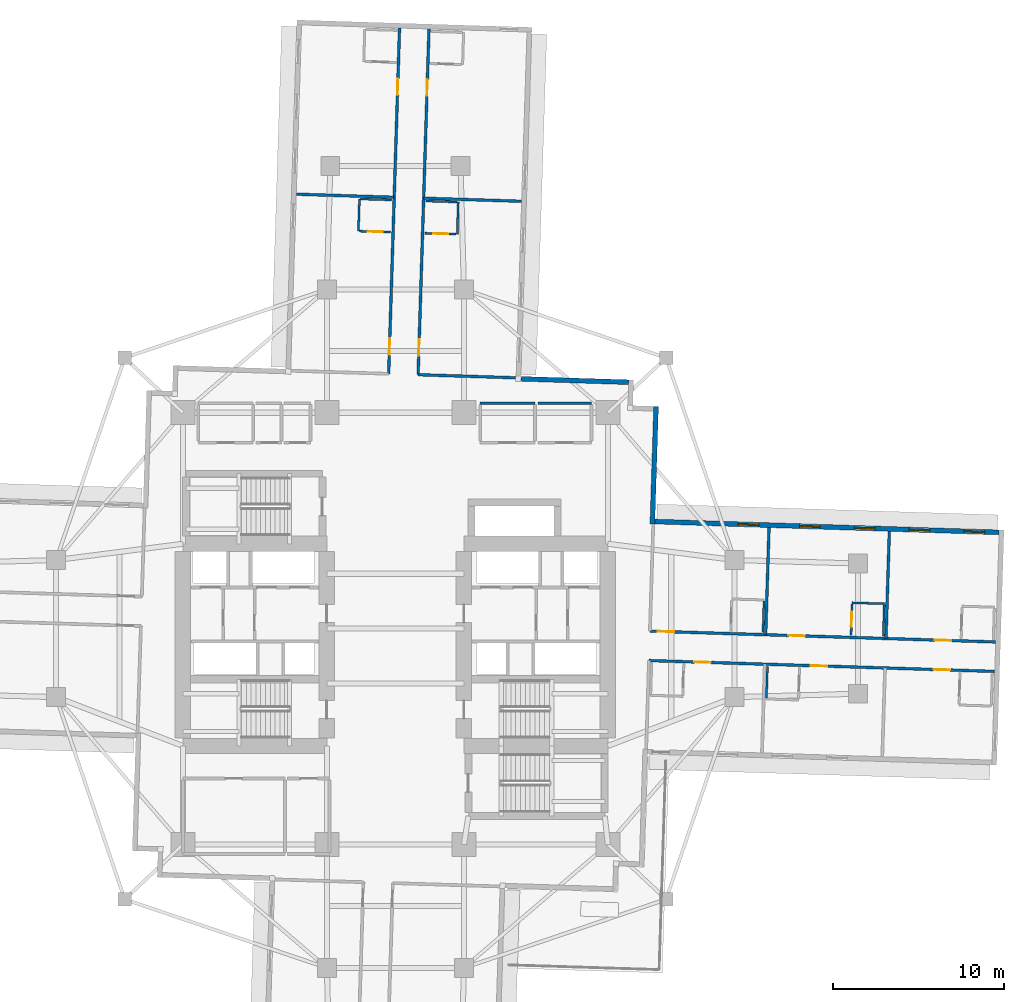
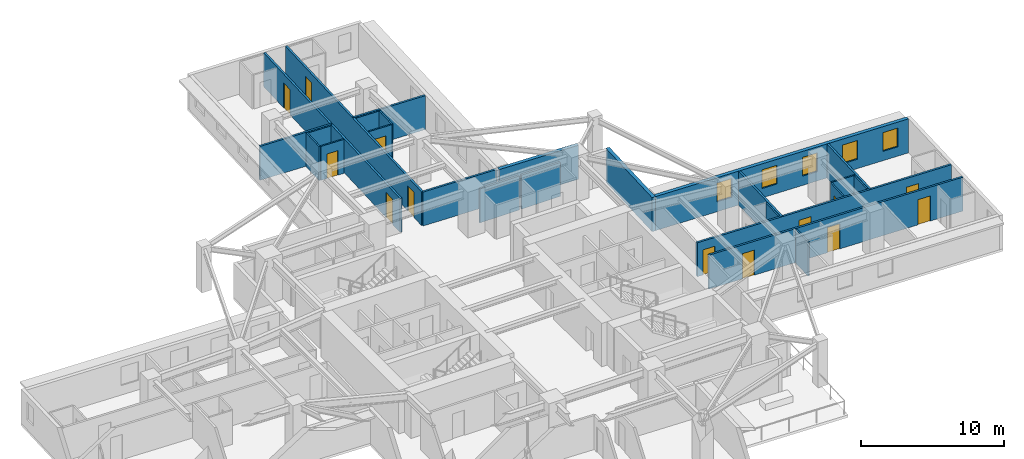
# One storey, part 7 of 13: 25 walls, 13 doors, 5 windows, 18 openings.
"""IFC4 building model written with IfcOpenShell, lengths in metres."""

from ifc_helpers import new_model, si_unit, direction, frame, frame_2d, origin, place, context, subcontext, project, spatial, rectangle, extrude, material, layer, layer_set, type_object, element, fill, save


model = new_model("IFC4")

# Units and contexts
model_context = context("Model", 3, precision=1e-05, world=origin(), true_north=direction((0.0, 1.0)))
body_context = subcontext(model_context, "Body", "Model", "MODEL_VIEW")
ifc_project = project(units=[si_unit("LENGTHUNIT", "METRE"), si_unit("AREAUNIT", "SQUARE_METRE"), si_unit("VOLUMEUNIT", "CUBIC_METRE"), si_unit("PLANEANGLEUNIT", "RADIAN"), si_unit("MASSUNIT", "GRAM", prefix="KILO")], contexts=[model_context])

# Site, building, storey
site_placement = place(None, origin())
site = spatial("IfcSite", under=ifc_project, at=site_placement, CompositionType="ELEMENT")
building_placement = place(site_placement, origin())
building = spatial("IfcBuilding", under=site, at=building_placement, Name="Qingluan Cross Belvedere", CompositionType="ELEMENT")
storey_placement = place(building_placement, frame((0.0, 0.0, 71.699951171875)))
storey = spatial("IfcBuildingStorey", under=building, at=storey_placement, Name="L18", CompositionType="ELEMENT", Elevation=71.699951171875)

# Walls
ifc_material_1 = material(Name="Gypsum plasterboard on steel stud acoustic partition", Category="steel")
ifc_layer_1 = layer(ifc_material_1, 0.159912109375, Name="CorridorPartition_160")
ifc_layer_set_1 = layer_set([ifc_layer_1], Name="Gypsum plasterboard on steel stud acoustic partition")
wall_type_1 = type_object("IfcWallType", Name="CorridorPartition_160", PredefinedType="PARTITIONING", material=ifc_layer_set_1)
wall_1_placement = place(storey_placement, frame((4.949951171875, 13.14990234375, 0.0), z_axis=(0.0, 0.0, 1.0), x_axis=(1.0, 0.0, 0.0)))
element("IfcWall", 1, at=wall_1_placement, inside=storey, type_object=wall_type_1, Name="Partition L18:q_ne1:N", PredefinedType="PARTITIONING", context=body_context, shape_type="SweptSolid", body=[
    extrude(rectangle(XDim=3.199951171875, YDim=0.159912109375, at=frame_2d((1.60009765625, 0.0))), origin(), (0.0, 0.0, 1.0), 2.900146484375),
])
wall_2_placement = place(storey_placement, frame((8.31005859375, 13.14990234375, 0.0), z_axis=(0.0, 0.0, 1.0), x_axis=(1.0, 0.0, 0.0)))
element("IfcWall", 2, at=wall_2_placement, inside=storey, type_object=wall_type_1, Name="Partition L18:q_ne2:N", PredefinedType="PARTITIONING", context=body_context, shape_type="SweptSolid", body=[
    extrude(rectangle(XDim=3.139892578125, YDim=0.159912109375, at=frame_2d((1.56982421875, 0.0))), origin(), (0.0, 0.0, 1.0), 2.900146484375),
])

# Wall, openings, doors
wall_3_placement = place(storey_placement, frame((14.852783203125, -0.146484375, 0.0), z_axis=(0.0, 0.0, 1.0), x_axis=(0.999506406629, -0.031415650687, 0.0)))
wall_3 = element("IfcWall", 3, at=wall_3_placement, inside=storey, type_object=wall_type_1, Name="Partition L18:E:c0", PredefinedType="PARTITIONING", context=body_context, shape_type="SweptSolid", body=[
    extrude(rectangle(XDim=20.18212890625, YDim=0.159912109375, at=frame_2d((10.091064453125, 0.0))), origin(), (0.0, 0.0, 1.0), 2.900146484375),
])
opening_1_placement = place(wall_3_placement, frame((0.449951171875, 0.0, 0.0)))
opening_1 = element("IfcOpeningElement", 4, at=opening_1_placement, cuts=wall_3, Name="Opening GD-10", PredefinedType="OPENING", context=body_context, shape_type="SweptSolid", body=[
    extrude(rectangle(XDim=0.9599609375, YDim=2.14990234375, at=frame_2d((0.47998046875, 1.074951171875))), frame((0.0, 0.08984375, 0.0), z_axis=(0.0, -1.0, 0.0), x_axis=(1.0, 0.0, 0.0)), (0.0, 0.0, 1.0), 0.179931640625),
])
opening_2_placement = place(wall_3_placement, frame((8.0869140625, 0.0, 0.0)))
opening_2 = element("IfcOpeningElement", 5, at=opening_2_placement, cuts=wall_3, Name="Opening GD-10", PredefinedType="OPENING", context=body_context, shape_type="SweptSolid", body=[
    extrude(rectangle(XDim=0.9599609375, YDim=2.14990234375, at=frame_2d((0.47998046875, 1.074951171875))), frame((0.0, 0.08984375, 0.0), z_axis=(0.0, -1.0, 0.0), x_axis=(1.0, 0.0, 0.0)), (0.0, 0.0, 1.0), 0.179931640625),
])
opening_3_placement = place(wall_3_placement, frame((16.626953125, 0.0, 0.0)))
opening_3 = element("IfcOpeningElement", 6, at=opening_3_placement, cuts=wall_3, Name="Opening GD-10", PredefinedType="OPENING", context=body_context, shape_type="SweptSolid", body=[
    extrude(rectangle(XDim=0.9599609375, YDim=2.14990234375, at=frame_2d((0.47998046875, 1.074951171875))), frame((0.0, 0.08984375, 0.0), z_axis=(0.0, -1.0, 0.0), x_axis=(1.0, 0.0, 0.0)), (0.0, 0.0, 1.0), 0.179931640625),
])
ifc_material_2 = material(Name="Timber oak fire-rated acoustic guestroom door", Category="wood")
door_type_1 = type_object("IfcDoorType", Name="GuestEntryDoor_FD60", OperationType="NOTDEFINED", PredefinedType="DOOR", material=ifc_material_2)
door_1_placement = place(opening_1_placement, origin())
door_1 = element("IfcDoor", 7, at=door_1_placement, inside=storey, type_object=door_type_1, Name="Guest entry fire door 1801", OperationType="SINGLE_SWING_LEFT", OverallHeight=2.14990234375, OverallWidth=0.9599609375, PredefinedType="DOOR", context=body_context, shape_type="SweptSolid", body=[
    extrude(rectangle(XDim=0.9599609375, YDim=2.14990234375, at=frame_2d((0.47998046875, 1.074951171875))), frame((0.0, 0.02490234375, 0.0), z_axis=(0.0, -1.0, 0.0), x_axis=(1.0, 0.0, 0.0)), (0.0, 0.0, 1.0), 0.050048828125),
])
fill(opening_1, door_1)
door_2_placement = place(opening_2_placement, origin())
door_2 = element("IfcDoor", 8, at=door_2_placement, inside=storey, type_object=door_type_1, Name="Guest entry fire door 1802", OperationType="SINGLE_SWING_LEFT", OverallHeight=2.14990234375, OverallWidth=0.9599609375, PredefinedType="DOOR", context=body_context, shape_type="SweptSolid", body=[
    extrude(rectangle(XDim=0.9599609375, YDim=2.14990234375, at=frame_2d((0.47998046875, 1.074951171875))), frame((0.0, 0.02490234375, 0.0), z_axis=(0.0, -1.0, 0.0), x_axis=(1.0, 0.0, 0.0)), (0.0, 0.0, 1.0), 0.050048828125),
])
fill(opening_2, door_2)
door_3_placement = place(opening_3_placement, origin())
door_3 = element("IfcDoor", 9, at=door_3_placement, inside=storey, type_object=door_type_1, Name="Guest entry fire door 1803", OperationType="SINGLE_SWING_LEFT", OverallHeight=2.14990234375, OverallWidth=0.9599609375, PredefinedType="DOOR", context=body_context, shape_type="SweptSolid", body=[
    extrude(rectangle(XDim=0.9599609375, YDim=2.14990234375, at=frame_2d((0.47998046875, 1.074951171875))), frame((0.0, 0.02490234375, 0.0), z_axis=(0.0, -1.0, 0.0), x_axis=(1.0, 0.0, 0.0)), (0.0, 0.0, 1.0), 0.050048828125),
])
fill(opening_3, door_3)

# Walls
wall_4_placement = place(storey_placement, frame((21.609375, -0.35888671875, 0.0), z_axis=(0.0, 0.0, 1.0), x_axis=(0.031435911097, 0.999505769615, 0.0)))
element("IfcWall", 10, at=wall_4_placement, inside=storey, type_object=wall_type_1, Name="Partition L18:E:d0_0", PredefinedType="PARTITIONING", context=body_context, shape_type="SweptSolid", body=[
    extrude(rectangle(XDim=6.251953125, YDim=0.159912109375, at=frame_2d((3.1259765625, 0.0))), origin(), (0.0, 0.0, 1.0), 2.900146484375),
])
wall_5_placement = place(storey_placement, frame((28.6298828125, -0.57958984375, 0.0), z_axis=(0.0, 0.0, 1.0), x_axis=(0.031434684154, 0.999505808203, 0.0)))
element("IfcWall", 11, at=wall_5_placement, inside=storey, type_object=wall_type_1, Name="Partition L18:E:d0_1", PredefinedType="PARTITIONING", context=body_context, shape_type="SweptSolid", body=[
    extrude(rectangle(XDim=6.252197265625, YDim=0.159912109375, at=frame_2d((3.1259765625, 0.0))), origin(), (0.0, 0.0, 1.0), 2.900146484375),
])

# Wall, openings, doors
wall_6_placement = place(storey_placement, frame((14.798583984375, -1.86572265625, 0.0), z_axis=(0.0, 0.0, 1.0), x_axis=(0.999506406629, -0.031415650687, 0.0)))
wall_6 = element("IfcWall", 12, at=wall_6_placement, inside=storey, type_object=wall_type_1, Name="Partition L18:E:c1", PredefinedType="PARTITIONING", context=body_context, shape_type="SweptSolid", body=[
    extrude(rectangle(XDim=20.18212890625, YDim=0.159912109375, at=frame_2d((10.091064453125, 0.0))), origin(), (0.0, 0.0, 1.0), 2.900146484375),
])
opening_4_placement = place(wall_6_placement, frame((2.656005859375, 0.0, 0.0)))
opening_4 = element("IfcOpeningElement", 13, at=opening_4_placement, cuts=wall_6, Name="Opening GD-10", PredefinedType="OPENING", context=body_context, shape_type="SweptSolid", body=[
    extrude(rectangle(XDim=0.9599609375, YDim=2.14990234375, at=frame_2d((0.47998046875, 1.074951171875))), frame((0.0, 0.08984375, 0.0), z_axis=(0.0, -1.0, 0.0), x_axis=(1.0, 0.0, 0.0)), (0.0, 0.0, 1.0), 0.179931640625),
])
opening_5_placement = place(wall_6_placement, frame((9.44189453125, 0.0, 0.0)))
opening_5 = element("IfcOpeningElement", 14, at=opening_5_placement, cuts=wall_6, Name="Opening GD-10", PredefinedType="OPENING", context=body_context, shape_type="SweptSolid", body=[
    extrude(rectangle(XDim=0.9599609375, YDim=2.14990234375, at=frame_2d((0.47998046875, 1.074951171875))), frame((0.0, 0.08984375, 0.0), z_axis=(0.0, -1.0, 0.0), x_axis=(1.0, 0.0, 0.0)), (0.0, 0.0, 1.0), 0.179931640625),
])
opening_6_placement = place(wall_6_placement, frame((16.626953125, 0.0, 0.0)))
opening_6 = element("IfcOpeningElement", 15, at=opening_6_placement, cuts=wall_6, Name="Opening GD-10", PredefinedType="OPENING", context=body_context, shape_type="SweptSolid", body=[
    extrude(rectangle(XDim=0.9599609375, YDim=2.14990234375, at=frame_2d((0.47998046875, 1.074951171875))), frame((0.0, 0.08984375, 0.0), z_axis=(0.0, -1.0, 0.0), x_axis=(1.0, 0.0, 0.0)), (0.0, 0.0, 1.0), 0.179931640625),
])
door_4_placement = place(opening_4_placement, origin())
door_4 = element("IfcDoor", 16, at=door_4_placement, inside=storey, type_object=door_type_1, Name="Guest entry fire door 1804", OperationType="SINGLE_SWING_LEFT", OverallHeight=2.14990234375, OverallWidth=0.9599609375, PredefinedType="DOOR", context=body_context, shape_type="SweptSolid", body=[
    extrude(rectangle(XDim=0.9599609375, YDim=2.14990234375, at=frame_2d((0.47998046875, 1.074951171875))), frame((0.0, 0.02490234375, 0.0), z_axis=(0.0, -1.0, 0.0), x_axis=(1.0, 0.0, 0.0)), (0.0, 0.0, 1.0), 0.050048828125),
])
fill(opening_4, door_4)
door_5_placement = place(opening_5_placement, origin())
door_5 = element("IfcDoor", 17, at=door_5_placement, inside=storey, type_object=door_type_1, Name="Guest entry fire door 1805", OperationType="SINGLE_SWING_LEFT", OverallHeight=2.14990234375, OverallWidth=0.9599609375, PredefinedType="DOOR", context=body_context, shape_type="SweptSolid", body=[
    extrude(rectangle(XDim=0.9599609375, YDim=2.14990234375, at=frame_2d((0.47998046875, 1.074951171875))), frame((0.0, 0.02490234375, 0.0), z_axis=(0.0, -1.0, 0.0), x_axis=(1.0, 0.0, 0.0)), (0.0, 0.0, 1.0), 0.050048828125),
])
fill(opening_5, door_5)
door_6_placement = place(opening_6_placement, origin())
door_6 = element("IfcDoor", 18, at=door_6_placement, inside=storey, type_object=door_type_1, Name="Guest entry fire door 1806", OperationType="SINGLE_SWING_LEFT", OverallHeight=2.14990234375, OverallWidth=0.9599609375, PredefinedType="DOOR", context=body_context, shape_type="SweptSolid", body=[
    extrude(rectangle(XDim=0.9599609375, YDim=2.14990234375, at=frame_2d((0.47998046875, 1.074951171875))), frame((0.0, 0.02490234375, 0.0), z_axis=(0.0, -1.0, 0.0), x_axis=(1.0, 0.0, 0.0)), (0.0, 0.0, 1.0), 0.050048828125),
])
fill(opening_6, door_6)

wall_7_placement = place(storey_placement, frame((1.325927734375, 14.815673828125, 0.0), z_axis=(0.0, 0.0, 1.0), x_axis=(0.031415650687, 0.999506406629, 0.0)))
wall_7 = element("IfcWall", 19, at=wall_7_placement, inside=storey, type_object=wall_type_1, Name="Partition L18:N:c0", PredefinedType="PARTITIONING", context=body_context, shape_type="SweptSolid", body=[
    extrude(rectangle(XDim=20.18212890625, YDim=0.159912109375, at=frame_2d((10.091064453125, 0.0))), origin(), (0.0, 0.0, 1.0), 2.900146484375),
])
opening_7_placement = place(wall_7_placement, frame((1.10595703125, 0.0, 0.0)))
opening_7 = element("IfcOpeningElement", 20, at=opening_7_placement, cuts=wall_7, Name="Opening GD-10", PredefinedType="OPENING", context=body_context, shape_type="SweptSolid", body=[
    extrude(rectangle(XDim=0.9599609375, YDim=2.14990234375, at=frame_2d((0.47998046875, 1.074951171875))), frame((0.0, 0.08984375, 0.0), z_axis=(0.0, -1.0, 0.0), x_axis=(1.0, 0.0, 0.0)), (0.0, 0.0, 1.0), 0.179931640625),
])
opening_8_placement = place(wall_7_placement, frame((16.280029296875, 0.0, 0.0)))
opening_8 = element("IfcOpeningElement", 21, at=opening_8_placement, cuts=wall_7, Name="Opening GD-10", PredefinedType="OPENING", context=body_context, shape_type="SweptSolid", body=[
    extrude(rectangle(XDim=0.9599609375, YDim=2.14990234375, at=frame_2d((0.47998046875, 1.074951171875))), frame((0.0, 0.08984375, 0.0), z_axis=(0.0, -1.0, 0.0), x_axis=(1.0, 0.0, 0.0)), (0.0, 0.0, 1.0), 0.179931640625),
])
door_7_placement = place(opening_7_placement, origin())
door_7 = element("IfcDoor", 22, at=door_7_placement, inside=storey, type_object=door_type_1, Name="Guest entry fire door 1811", OperationType="SINGLE_SWING_LEFT", OverallHeight=2.14990234375, OverallWidth=0.9599609375, PredefinedType="DOOR", context=body_context, shape_type="SweptSolid", body=[
    extrude(rectangle(XDim=0.9599609375, YDim=2.14990234375, at=frame_2d((0.47998046875, 1.074951171875))), frame((0.0, 0.02490234375, 0.0), z_axis=(0.0, -1.0, 0.0), x_axis=(1.0, 0.0, 0.0)), (0.0, 0.0, 1.0), 0.050048828125),
])
fill(opening_7, door_7)
door_8_placement = place(opening_8_placement, origin())
door_8 = element("IfcDoor", 23, at=door_8_placement, inside=storey, type_object=door_type_1, Name="Guest entry fire door 1812", OperationType="SINGLE_SWING_LEFT", OverallHeight=2.14990234375, OverallWidth=0.9599609375, PredefinedType="DOOR", context=body_context, shape_type="SweptSolid", body=[
    extrude(rectangle(XDim=0.9599609375, YDim=2.14990234375, at=frame_2d((0.47998046875, 1.074951171875))), frame((0.0, 0.02490234375, 0.0), z_axis=(0.0, -1.0, 0.0), x_axis=(1.0, 0.0, 0.0)), (0.0, 0.0, 1.0), 0.050048828125),
])
fill(opening_8, door_8)

# Walls
wall_8_placement = place(storey_placement, frame((1.325927734375, 14.815673828125, 0.0), z_axis=(0.0, 0.0, 1.0), x_axis=(0.999506491758, -0.031412942136, 0.0)))
element("IfcWall", 24, at=wall_8_placement, inside=storey, type_object=wall_type_1, Name="Partition L18:N:s0", PredefinedType="PARTITIONING", context=body_context, shape_type="SweptSolid", body=[
    extrude(rectangle(XDim=5.860107421875, YDim=0.159912109375, at=frame_2d((2.93017578125, 0.0))), origin(), (0.0, 0.0, 1.0), 2.900146484375),
])
wall_9_placement = place(storey_placement, frame((1.64990234375, 25.11767578125, 0.0), z_axis=(0.0, 0.0, 1.0), x_axis=(0.999505045245, -0.031458934028, 0.0)))
element("IfcWall", 25, at=wall_9_placement, inside=storey, type_object=wall_type_1, Name="Partition L18:N:d0_0", PredefinedType="PARTITIONING", context=body_context, shape_type="SweptSolid", body=[
    extrude(rectangle(XDim=5.7119140625, YDim=0.159912109375, at=frame_2d((2.85595703125, 0.0))), origin(), (0.0, 0.0, 1.0), 2.900146484375),
])

# Wall, openings, doors
wall_10_placement = place(storey_placement, frame((-0.39306640625, 14.86962890625, 0.0), z_axis=(0.0, 0.0, 1.0), x_axis=(0.031403565719, 0.9995067864, 0.0)))
wall_10 = element("IfcWall", 26, at=wall_10_placement, inside=storey, type_object=wall_type_1, Name="Partition L18:N:c1", PredefinedType="PARTITIONING", context=body_context, shape_type="SweptSolid", body=[
    extrude(rectangle(XDim=20.18212890625, YDim=0.159912109375, at=frame_2d((10.091064453125, 0.0))), origin(), (0.0, 0.0, 1.0), 2.900146484375),
])
opening_9_placement = place(wall_10_placement, frame((1.10595703125, 0.0, 0.0)))
opening_9 = element("IfcOpeningElement", 27, at=opening_9_placement, cuts=wall_10, Name="Opening GD-10", PredefinedType="OPENING", context=body_context, shape_type="SweptSolid", body=[
    extrude(rectangle(XDim=0.9599609375, YDim=2.14990234375, at=frame_2d((0.47998046875, 1.074951171875))), frame((0.0, 0.08984375, 0.0), z_axis=(0.0, -1.0, 0.0), x_axis=(1.0, 0.0, 0.0)), (0.0, 0.0, 1.0), 0.179931640625),
])
opening_10_placement = place(wall_10_placement, frame((16.280029296875, 0.0, 0.0)))
opening_10 = element("IfcOpeningElement", 28, at=opening_10_placement, cuts=wall_10, Name="Opening GD-10", PredefinedType="OPENING", context=body_context, shape_type="SweptSolid", body=[
    extrude(rectangle(XDim=0.9599609375, YDim=2.14990234375, at=frame_2d((0.47998046875, 1.074951171875))), frame((0.0, 0.08984375, 0.0), z_axis=(0.0, -1.0, 0.0), x_axis=(1.0, 0.0, 0.0)), (0.0, 0.0, 1.0), 0.179931640625),
])
door_9_placement = place(opening_9_placement, origin())
door_9 = element("IfcDoor", 29, at=door_9_placement, inside=storey, type_object=door_type_1, Name="Guest entry fire door 1813", OperationType="SINGLE_SWING_LEFT", OverallHeight=2.14990234375, OverallWidth=0.9599609375, PredefinedType="DOOR", context=body_context, shape_type="SweptSolid", body=[
    extrude(rectangle(XDim=0.9599609375, YDim=2.14990234375, at=frame_2d((0.47998046875, 1.074951171875))), frame((0.0, 0.02490234375, 0.0), z_axis=(0.0, -1.0, 0.0), x_axis=(1.0, 0.0, 0.0)), (0.0, 0.0, 1.0), 0.050048828125),
])
fill(opening_9, door_9)
door_10_placement = place(opening_10_placement, origin())
door_10 = element("IfcDoor", 30, at=door_10_placement, inside=storey, type_object=door_type_1, Name="Guest entry fire door 1814", OperationType="SINGLE_SWING_LEFT", OverallHeight=2.14990234375, OverallWidth=0.9599609375, PredefinedType="DOOR", context=body_context, shape_type="SweptSolid", body=[
    extrude(rectangle(XDim=0.9599609375, YDim=2.14990234375, at=frame_2d((0.47998046875, 1.074951171875))), frame((0.0, 0.02490234375, 0.0), z_axis=(0.0, -1.0, 0.0), x_axis=(1.0, 0.0, 0.0)), (0.0, 0.0, 1.0), 0.050048828125),
])
fill(opening_10, door_10)

# Walls
wall_11_placement = place(storey_placement, frame((-0.0693359375, 25.171630859375, 0.0), z_axis=(0.0, 0.0, 1.0), x_axis=(-0.999506430506, 0.031414891017, 0.0)))
element("IfcWall", 31, at=wall_11_placement, inside=storey, type_object=wall_type_1, Name="Partition L18:N:d1_0", PredefinedType="PARTITIONING", context=body_context, shape_type="SweptSolid", body=[
    extrude(rectangle(XDim=5.712158203125, YDim=0.159912109375, at=frame_2d((2.85595703125, 0.0))), origin(), (0.0, 0.0, 1.0), 2.900146484375),
])
ifc_material_3 = material(Name="Moisture-resistant gypsum board lining")
ifc_layer_2 = layer(ifc_material_3, 0.1201171875, Name="EnsuiteWetPartition_120")
ifc_layer_set_2 = layer_set([ifc_layer_2], Name="Moisture-resistant gypsum board lining")
wall_type_2 = type_object("IfcWallType", Name="EnsuiteWetPartition_120", PredefinedType="PARTITIONING", material=ifc_layer_set_2)
wall_12_placement = place(storey_placement, frame((21.453857421875, -0.214111328125, 0.0), z_axis=(0.0, 0.0, 1.0), x_axis=(0.031389704724, 0.999507221803, 0.0)))
element("IfcWall", 32, at=wall_12_placement, inside=storey, type_object=wall_type_2, Name="Partition L18:E:bw0_0", PredefinedType="PARTITIONING", context=body_context, shape_type="SweptSolid", body=[
    extrude(rectangle(XDim=1.820068359375, YDim=0.1201171875, at=frame_2d((0.91015625, 0.0))), origin(), (0.0, 0.0, 1.0), 2.900146484375),
])

# Wall, opening, door
wall_13_placement = place(storey_placement, frame((26.59521484375, -0.37548828125, 0.0), z_axis=(0.0, 0.0, 1.0), x_axis=(0.03152371574, 0.999503004171, 0.0)))
wall_13 = element("IfcWall", 33, at=wall_13_placement, inside=storey, type_object=wall_type_2, Name="Partition L18:E:bs0_1", PredefinedType="PARTITIONING", context=body_context, shape_type="SweptSolid", body=[
    extrude(rectangle(XDim=1.820068359375, YDim=0.1201171875, at=frame_2d((0.91015625, 0.0))), origin(), (0.0, 0.0, 1.0), 2.900146484375),
])
opening_11_placement = place(wall_13_placement, frame((0.469970703125, 0.0, 0.0)))
opening_11 = element("IfcOpeningElement", 34, at=opening_11_placement, cuts=wall_13, Name="Opening BD-09", PredefinedType="OPENING", context=body_context, shape_type="SweptSolid", body=[
    extrude(rectangle(XDim=0.8798828125, YDim=2.10009765625, at=frame_2d((0.43994140625, 1.050048828125))), frame((0.0, 0.070068359375, 0.0), z_axis=(0.0, -1.0, 0.0), x_axis=(1.0, 0.0, 0.0)), (0.0, 0.0, 1.0), 0.14013671875),
])
ifc_material_4 = material(Name="Moisture-sealed timber en-suite door", Category="wood")
door_type_2 = type_object("IfcDoorType", Name="BathroomDoor_880", OperationType="NOTDEFINED", PredefinedType="DOOR", material=ifc_material_4)
door_11_placement = place(opening_11_placement, origin())
door_11 = element("IfcDoor", 35, at=door_11_placement, inside=storey, type_object=door_type_2, Name="Bathroom door 1802", OperationType="SINGLE_SWING_RIGHT", OverallHeight=2.10009765625, OverallWidth=0.8798828125, PredefinedType="DOOR", context=body_context, shape_type="SweptSolid", body=[
    extrude(rectangle(XDim=0.8798828125, YDim=2.10009765625, at=frame_2d((0.43994140625, 1.050048828125))), frame((0.0, 0.02490234375, 0.0), z_axis=(0.0, -1.0, 0.0), x_axis=(1.0, 0.0, 0.0)), (0.0, 0.0, 1.0), 0.050048828125),
])
fill(opening_11, door_11)

# Walls
wall_14_placement = place(storey_placement, frame((28.474365234375, -0.4345703125, 0.0), z_axis=(0.0, 0.0, 1.0), x_axis=(0.031389704724, 0.999507221803, 0.0)))
element("IfcWall", 36, at=wall_14_placement, inside=storey, type_object=wall_type_2, Name="Partition L18:E:bw0_1", PredefinedType="PARTITIONING", context=body_context, shape_type="SweptSolid", body=[
    extrude(rectangle(XDim=1.820068359375, YDim=0.1201171875, at=frame_2d((0.91015625, 0.0))), origin(), (0.0, 0.0, 1.0), 2.900146484375),
])
wall_15_placement = place(storey_placement, frame((26.654541015625, 1.508544921875, 0.0), z_axis=(0.0, 0.0, 1.0), x_axis=(0.999506103526, -0.031425292588, 0.0)))
element("IfcWall", 37, at=wall_15_placement, inside=storey, type_object=wall_type_2, Name="Partition L18:E:bn0_1", PredefinedType="PARTITIONING", context=body_context, shape_type="SweptSolid", body=[
    extrude(rectangle(XDim=1.880126953125, YDim=0.1201171875, at=frame_2d((0.93994140625, 0.0))), origin(), (0.0, 0.0, 1.0), 2.900146484375),
])
wall_16_placement = place(storey_placement, frame((21.65380859375, -4.042236328125, 0.0), z_axis=(0.0, 0.0, 1.0), x_axis=(0.031389704724, 0.999507221803, 0.0)))
element("IfcWall", 38, at=wall_16_placement, inside=storey, type_object=wall_type_2, Name="Partition L18:E:bw1_1", PredefinedType="PARTITIONING", context=body_context, shape_type="SweptSolid", body=[
    extrude(rectangle(XDim=1.820068359375, YDim=0.1201171875, at=frame_2d((0.91015625, 0.0))), origin(), (0.0, 0.0, 1.0), 2.900146484375),
])

# Wall, opening, door
wall_17_placement = place(storey_placement, frame((1.7255859375, 23.07421875, 0.0), z_axis=(0.0, 0.0, 1.0), x_axis=(0.999507221803, -0.031389704724, 0.0)))
wall_17 = element("IfcWall", 39, at=wall_17_placement, inside=storey, type_object=wall_type_2, Name="Partition L18:N:bs0_0", PredefinedType="PARTITIONING", context=body_context, shape_type="SweptSolid", body=[
    extrude(rectangle(XDim=1.820068359375, YDim=0.1201171875, at=frame_2d((0.91015625, 0.0))), origin(), (0.0, 0.0, 1.0), 2.900146484375),
])
opening_12_placement = place(wall_17_placement, frame((0.469970703125, 0.0, 0.0)))
opening_12 = element("IfcOpeningElement", 40, at=opening_12_placement, cuts=wall_17, Name="Opening BD-09", PredefinedType="OPENING", context=body_context, shape_type="SweptSolid", body=[
    extrude(rectangle(XDim=0.8798828125, YDim=2.10009765625, at=frame_2d((0.43994140625, 1.050048828125))), frame((0.0, 0.070068359375, 0.0), z_axis=(0.0, -1.0, 0.0), x_axis=(1.0, 0.0, 0.0)), (0.0, 0.0, 1.0), 0.14013671875),
])
door_12_placement = place(opening_12_placement, origin())
door_12 = element("IfcDoor", 41, at=door_12_placement, inside=storey, type_object=door_type_2, Name="Bathroom door 1811", OperationType="SINGLE_SWING_RIGHT", OverallHeight=2.10009765625, OverallWidth=0.8798828125, PredefinedType="DOOR", context=body_context, shape_type="SweptSolid", body=[
    extrude(rectangle(XDim=0.8798828125, YDim=2.10009765625, at=frame_2d((0.43994140625, 1.050048828125))), frame((0.0, 0.02490234375, 0.0), z_axis=(0.0, -1.0, 0.0), x_axis=(1.0, 0.0, 0.0)), (0.0, 0.0, 1.0), 0.050048828125),
])
fill(opening_12, door_12)

# Walls
wall_18_placement = place(storey_placement, frame((1.78466796875, 24.953369140625, 0.0), z_axis=(0.0, 0.0, 1.0), x_axis=(0.999503004171, -0.03152371574, 0.0)))
element("IfcWall", 42, at=wall_18_placement, inside=storey, type_object=wall_type_2, Name="Partition L18:N:bw0_0", PredefinedType="PARTITIONING", context=body_context, shape_type="SweptSolid", body=[
    extrude(rectangle(XDim=1.820068359375, YDim=0.1201171875, at=frame_2d((0.91015625, 0.0))), origin(), (0.0, 0.0, 1.0), 2.900146484375),
])
wall_19_placement = place(storey_placement, frame((3.609619140625, 23.014892578125, 0.0), z_axis=(0.0, 0.0, 1.0), x_axis=(0.031425292588, 0.999506103526, 0.0)))
element("IfcWall", 43, at=wall_19_placement, inside=storey, type_object=wall_type_2, Name="Partition L18:N:bn0_0", PredefinedType="PARTITIONING", context=body_context, shape_type="SweptSolid", body=[
    extrude(rectangle(XDim=1.880126953125, YDim=0.1201171875, at=frame_2d((0.93994140625, 0.0))), origin(), (0.0, 0.0, 1.0), 2.900146484375),
])

# Wall, opening, door
wall_20_placement = place(storey_placement, frame((-2.092529296875, 23.194091796875, 0.0), z_axis=(0.0, 0.0, 1.0), x_axis=(0.999507221803, -0.031389704724, 0.0)))
wall_20 = element("IfcWall", 44, at=wall_20_placement, inside=storey, type_object=wall_type_2, Name="Partition L18:N:bs1_0", PredefinedType="PARTITIONING", context=body_context, shape_type="SweptSolid", body=[
    extrude(rectangle(XDim=1.820068359375, YDim=0.1201171875, at=frame_2d((0.91015625, 0.0))), origin(), (0.0, 0.0, 1.0), 2.900146484375),
])
opening_13_placement = place(wall_20_placement, frame((0.469970703125, 0.0, 0.0)))
opening_13 = element("IfcOpeningElement", 45, at=opening_13_placement, cuts=wall_20, Name="Opening BD-09", PredefinedType="OPENING", context=body_context, shape_type="SweptSolid", body=[
    extrude(rectangle(XDim=0.8798828125, YDim=2.10009765625, at=frame_2d((0.43994140625, 1.050048828125))), frame((0.0, 0.070068359375, 0.0), z_axis=(0.0, -1.0, 0.0), x_axis=(1.0, 0.0, 0.0)), (0.0, 0.0, 1.0), 0.14013671875),
])
door_13_placement = place(opening_13_placement, origin())
door_13 = element("IfcDoor", 46, at=door_13_placement, inside=storey, type_object=door_type_2, Name="Bathroom door 1813", OperationType="SINGLE_SWING_RIGHT", OverallHeight=2.10009765625, OverallWidth=0.8798828125, PredefinedType="DOOR", context=body_context, shape_type="SweptSolid", body=[
    extrude(rectangle(XDim=0.8798828125, YDim=2.10009765625, at=frame_2d((0.43994140625, 1.050048828125))), frame((0.0, 0.02490234375, 0.0), z_axis=(0.0, -1.0, 0.0), x_axis=(1.0, 0.0, 0.0)), (0.0, 0.0, 1.0), 0.050048828125),
])
fill(opening_13, door_13)

# Walls
wall_21_placement = place(storey_placement, frame((-2.033447265625, 25.0732421875, 0.0), z_axis=(0.0, 0.0, 1.0), x_axis=(0.999507221803, -0.031389704724, 0.0)))
element("IfcWall", 47, at=wall_21_placement, inside=storey, type_object=wall_type_2, Name="Partition L18:N:bw1_0", PredefinedType="PARTITIONING", context=body_context, shape_type="SweptSolid", body=[
    extrude(rectangle(XDim=1.820068359375, YDim=0.1201171875, at=frame_2d((0.91015625, 0.0))), origin(), (0.0, 0.0, 1.0), 2.900146484375),
])
wall_22_placement = place(storey_placement, frame((-2.157470703125, 23.1962890625, 0.0), z_axis=(0.0, 0.0, 1.0), x_axis=(0.031429371883, 0.999505975261, 0.0)))
element("IfcWall", 48, at=wall_22_placement, inside=storey, type_object=wall_type_2, Name="Partition L18:N:bc1_0", PredefinedType="PARTITIONING", context=body_context, shape_type="SweptSolid", body=[
    extrude(rectangle(XDim=1.8798828125, YDim=0.1201171875, at=frame_2d((0.93994140625, 0.0))), origin(), (0.0, 0.0, 1.0), 2.900146484375),
])

# Wall, openings, windows
ifc_material_5 = material(Name="Precast concrete C45", Category="concrete")
ifc_layer_3 = layer(ifc_material_5, 0.280029296875, Name="PrecastFacadeWall_280")
ifc_layer_set_3 = layer_set([ifc_layer_3], Name="Precast concrete C45")
wall_type_3 = type_object("IfcWallType", Name="PrecastFacadeWall_280", PredefinedType="STANDARD", material=ifc_layer_set_3)
wall_23_placement = place(storey_placement, frame((35.23388671875, 5.6162109375, 0.0), z_axis=(0.0, 0.0, 1.0), x_axis=(-0.999506955354, 0.031398187845, 0.0)))
wall_23 = element("IfcWall", 49, at=wall_23_placement, inside=storey, type_object=wall_type_3, Name="Facade wall L18-EB", PredefinedType="STANDARD", context=body_context, shape_type="SweptSolid", body=[
    extrude(rectangle(XDim=20.10009765625, YDim=0.280029296875, at=frame_2d((10.050048828125, 0.0))), origin(), (0.0, 0.0, 1.0), 2.91015625),
])
opening_14_placement = place(wall_23_placement, frame((0.85009765625, 0.0, 0.800048828125)))
opening_14 = element("IfcOpeningElement", 50, at=opening_14_placement, cuts=wall_23, Name="Opening W-02", PredefinedType="OPENING", context=body_context, shape_type="SweptSolid", body=[
    extrude(rectangle(XDim=1.199951171875, YDim=1.60009765625, at=frame_2d((0.60009765625, 0.800048828125))), frame((0.0, 0.14990234375, 0.0), z_axis=(0.0, -1.0, 0.0), x_axis=(1.0, 0.0, 0.0)), (0.0, 0.0, 1.0), 0.300048828125),
])
opening_15_placement = place(wall_23_placement, frame((4.050048828125, 0.0, 0.800048828125)))
opening_15 = element("IfcOpeningElement", 51, at=opening_15_placement, cuts=wall_23, Name="Opening W-02", PredefinedType="OPENING", context=body_context, shape_type="SweptSolid", body=[
    extrude(rectangle(XDim=1.199951171875, YDim=1.60009765625, at=frame_2d((0.60009765625, 0.800048828125))), frame((0.0, 0.14990234375, 0.0), z_axis=(0.0, -1.0, 0.0), x_axis=(1.0, 0.0, 0.0)), (0.0, 0.0, 1.0), 0.300048828125),
])
opening_16_placement = place(wall_23_placement, frame((7.25, 0.0, 0.800048828125)))
opening_16 = element("IfcOpeningElement", 52, at=opening_16_placement, cuts=wall_23, Name="Opening W-02", PredefinedType="OPENING", context=body_context, shape_type="SweptSolid", body=[
    extrude(rectangle(XDim=1.199951171875, YDim=1.60009765625, at=frame_2d((0.60009765625, 0.800048828125))), frame((0.0, 0.14990234375, 0.0), z_axis=(0.0, -1.0, 0.0), x_axis=(1.0, 0.0, 0.0)), (0.0, 0.0, 1.0), 0.300048828125),
])
opening_17_placement = place(wall_23_placement, frame((10.449951171875, 0.0, 0.800048828125)))
opening_17 = element("IfcOpeningElement", 53, at=opening_17_placement, cuts=wall_23, Name="Opening W-02", PredefinedType="OPENING", context=body_context, shape_type="SweptSolid", body=[
    extrude(rectangle(XDim=1.199951171875, YDim=1.60009765625, at=frame_2d((0.60009765625, 0.800048828125))), frame((0.0, 0.14990234375, 0.0), z_axis=(0.0, -1.0, 0.0), x_axis=(1.0, 0.0, 0.0)), (0.0, 0.0, 1.0), 0.300048828125),
])
opening_18_placement = place(wall_23_placement, frame((14.034912109375, 0.0, 0.85009765625)))
opening_18 = element("IfcOpeningElement", 54, at=opening_18_placement, cuts=wall_23, Name="Opening W-02", PredefinedType="OPENING", context=body_context, shape_type="SweptSolid", body=[
    extrude(rectangle(XDim=1.199951171875, YDim=1.60009765625, at=frame_2d((0.60009765625, 0.800048828125))), frame((0.0, 0.14990234375, 0.0), z_axis=(0.0, -1.0, 0.0), x_axis=(1.0, 0.0, 0.0)), (0.0, 0.0, 1.0), 0.300048828125),
])
ifc_material_6 = material(Name="Thermally broken triple Low-E glass in aluminium frame", Category="aluminium")
window_type = type_object("IfcWindowType", Name="TriRibbonWin_1200x1600", PartitioningType="SINGLE_PANEL", PredefinedType="WINDOW", material=ifc_material_6)
window_1_placement = place(opening_14_placement, origin())
window_1 = element("IfcWindow", 55, at=window_1_placement, inside=storey, type_object=window_type, Name="Ribbon window L18-EB-1", OverallHeight=1.60009765625, OverallWidth=1.199951171875, PartitioningType="SINGLE_PANEL", PredefinedType="WINDOW", context=body_context, shape_type="SweptSolid", body=[
    extrude(rectangle(XDim=1.199951171875, YDim=1.60009765625, at=frame_2d((0.60009765625, 0.800048828125))), frame((0.0, 0.030029296875, 0.0), z_axis=(0.0, -1.0, 0.0), x_axis=(1.0, 0.0, 0.0)), (0.0, 0.0, 1.0), 0.06005859375),
])
fill(opening_14, window_1)
window_2_placement = place(opening_15_placement, origin())
window_2 = element("IfcWindow", 56, at=window_2_placement, inside=storey, type_object=window_type, Name="Ribbon window L18-EB-2", OverallHeight=1.60009765625, OverallWidth=1.199951171875, PartitioningType="SINGLE_PANEL", PredefinedType="WINDOW", context=body_context, shape_type="SweptSolid", body=[
    extrude(rectangle(XDim=1.199951171875, YDim=1.60009765625, at=frame_2d((0.60009765625, 0.800048828125))), frame((0.0, 0.030029296875, 0.0), z_axis=(0.0, -1.0, 0.0), x_axis=(1.0, 0.0, 0.0)), (0.0, 0.0, 1.0), 0.06005859375),
])
fill(opening_15, window_2)
window_3_placement = place(opening_16_placement, origin())
window_3 = element("IfcWindow", 57, at=window_3_placement, inside=storey, type_object=window_type, Name="Ribbon window L18-EB-3", OverallHeight=1.60009765625, OverallWidth=1.199951171875, PartitioningType="SINGLE_PANEL", PredefinedType="WINDOW", context=body_context, shape_type="SweptSolid", body=[
    extrude(rectangle(XDim=1.199951171875, YDim=1.60009765625, at=frame_2d((0.60009765625, 0.800048828125))), frame((0.0, 0.030029296875, 0.0), z_axis=(0.0, -1.0, 0.0), x_axis=(1.0, 0.0, 0.0)), (0.0, 0.0, 1.0), 0.06005859375),
])
fill(opening_16, window_3)
window_4_placement = place(opening_17_placement, origin())
window_4 = element("IfcWindow", 58, at=window_4_placement, inside=storey, type_object=window_type, Name="Ribbon window L18-EB-4", OverallHeight=1.60009765625, OverallWidth=1.199951171875, PartitioningType="SINGLE_PANEL", PredefinedType="WINDOW", context=body_context, shape_type="SweptSolid", body=[
    extrude(rectangle(XDim=1.199951171875, YDim=1.60009765625, at=frame_2d((0.60009765625, 0.800048828125))), frame((0.0, 0.030029296875, 0.0), z_axis=(0.0, -1.0, 0.0), x_axis=(1.0, 0.0, 0.0)), (0.0, 0.0, 1.0), 0.06005859375),
])
fill(opening_17, window_4)
window_5_placement = place(opening_18_placement, origin())
window_5 = element("IfcWindow", 59, at=window_5_placement, inside=storey, type_object=window_type, Name="Deluxe guest room 1801 daylight window", OverallHeight=1.60009765625, OverallWidth=1.199951171875, PartitioningType="SINGLE_PANEL", PredefinedType="WINDOW", context=body_context, shape_type="SweptSolid", body=[
    extrude(rectangle(XDim=1.199951171875, YDim=1.60009765625, at=frame_2d((0.60009765625, 0.800048828125))), frame((0.0, 0.030029296875, 0.0), z_axis=(0.0, -1.0, 0.0), x_axis=(1.0, 0.0, 0.0)), (0.0, 0.0, 1.0), 0.06005859375),
])
fill(opening_18, window_5)

# Walls
wall_24_placement = place(storey_placement, frame((14.99951171875, 6.11181640625, 0.0), z_axis=(0.0, 0.0, 1.0), x_axis=(0.031389189386, 0.999507237988, 0.0)))
element("IfcWall", 60, at=wall_24_placement, inside=storey, type_object=wall_type_3, Name="Corner wall L18-NE1", PredefinedType="STANDARD", context=body_context, shape_type="SweptSolid", body=[
    extrude(rectangle(XDim=6.860107421875, YDim=0.280029296875, at=frame_2d((3.43017578125, 0.0))), origin(), (0.0, 0.0, 1.0), 2.91015625),
])
wall_25_placement = place(storey_placement, frame((13.618408203125, 14.37939453125, 0.0), z_axis=(0.0, 0.0, 1.0), x_axis=(-0.999507224741, 0.031389611199, 0.0)))
element("IfcWall", 61, at=wall_25_placement, inside=storey, type_object=wall_type_3, Name="Corner wall L18-NE4", PredefinedType="STANDARD", context=body_context, shape_type="SweptSolid", body=[
    extrude(rectangle(XDim=6.300048828125, YDim=0.280029296875, at=frame_2d((3.14990234375, 0.0))), origin(), (0.0, 0.0, 1.0), 2.91015625),
])

save(model, "model.ifc")
